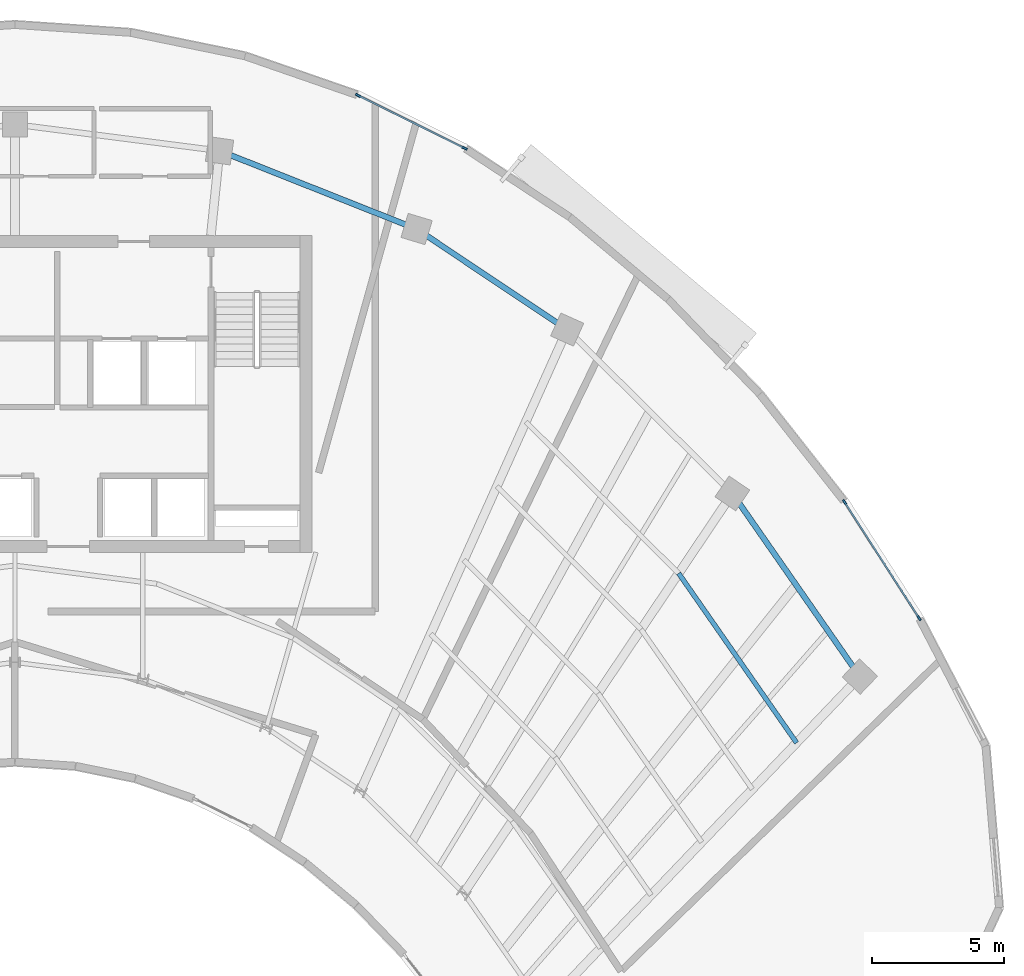
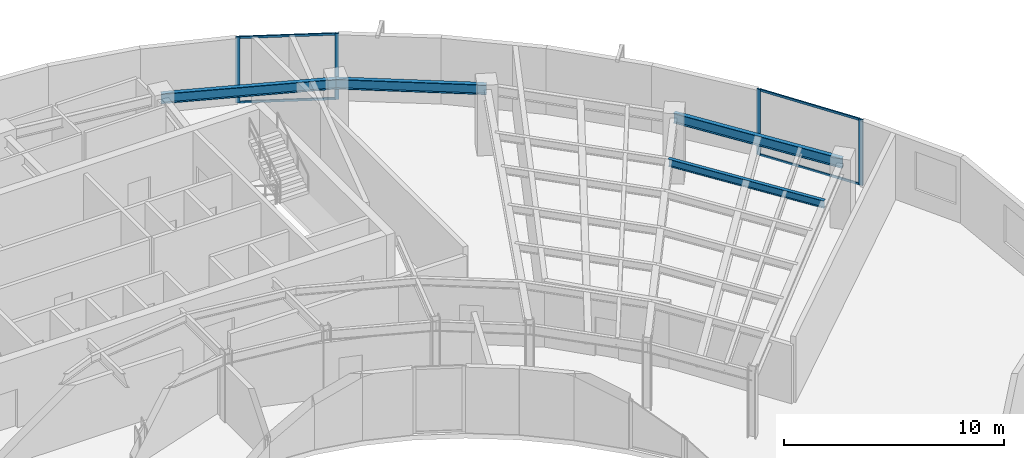
# One storey, part 6 of 13: 8 members, 4 beams, 2 elements without a shape of their own.
"""IFC4 building model written with IfcOpenShell, lengths in metres."""

from ifc_helpers import new_model, si_unit, direction, frame, origin, origin_2d, place, context, subcontext, project, spatial, rectangle, i_section, extrude, source, transform, mapped, material, layer, layer_set, material_profile, profile_set, type_object, element, aggregate, save


model = new_model("IFC4")

# Units and contexts
model_context = context("Model", 3, precision=1e-05, world=origin(), true_north=direction((0.0, 1.0)))
body_context = subcontext(model_context, "Body", "Model", "MODEL_VIEW")
ifc_project = project(units=[si_unit("LENGTHUNIT", "METRE"), si_unit("AREAUNIT", "SQUARE_METRE"), si_unit("VOLUMEUNIT", "CUBIC_METRE"), si_unit("PLANEANGLEUNIT", "RADIAN"), si_unit("MASSUNIT", "GRAM", prefix="KILO")], contexts=[model_context])

# Site, building, storey
site_placement = place(None, origin())
site = spatial("IfcSite", under=ifc_project, at=site_placement, CompositionType="ELEMENT")
building_placement = place(site_placement, origin())
building = spatial("IfcBuilding", under=site, at=building_placement, Name="Breltana Convention Tower", CompositionType="ELEMENT")
storey_placement = place(building_placement, frame((0.0, 0.0, 227.39990234375)))
storey = spatial("IfcBuildingStorey", under=building, at=storey_placement, Name="L55", CompositionType="ELEMENT", Elevation=227.39990234375)

# Beams
ifc_material_1 = material(Name="Steel ASTM A992 Grade 50", Category="steel")
ifc_material_profile_1 = material_profile(ifc_material_1, i_section(OverallWidth=0.214111328125, OverallDepth=0.549072265625, WebThickness=0.0146484375, FlangeThickness=0.023681640625, at=origin_2d()), Name="W21X93")
ifc_profile_set_1 = profile_set([ifc_material_profile_1], Name="Steel ASTM A992 Grade 50")
beam_type_1 = type_object("IfcBeamType", Name="BM-SP-W21X93", PredefinedType="SPANDREL", material=ifc_profile_set_1)
shared_shape_1 = source(origin(), body_context, "Body", "SweptSolid", [
    extrude(i_section(OverallWidth=0.214111328125, OverallDepth=0.549072265625, WebThickness=0.0146484375, FlangeThickness=0.023681640625, at=origin_2d()), origin(), (0.0, 0.0, 1.0), 8.028564453125),
])
beam_1_placement = place(storey_placement, frame((55.746826171875, 75.404296875, 3.37548828125), z_axis=(0.929459100394, -0.368925169507, 0.0), x_axis=(0.368925169507, 0.929459100394, 0.0)))
element("IfcBeam", 1, at=beam_1_placement, inside=storey, type_object=beam_type_1, Name="L55 Outer Spandrel Beam 07", PredefinedType="SPANDREL", context=body_context, shape_type="MappedRepresentation", body=[
    mapped(shared_shape_1, transform((0.0, 0.0, 0.0), scale=1.0)),
])
shared_shape_2 = source(origin(), body_context, "Body", "SweptSolid", [
    extrude(i_section(OverallWidth=0.214111328125, OverallDepth=0.549072265625, WebThickness=0.0146484375, FlangeThickness=0.023681640625, at=origin_2d()), origin(), (0.0, 0.0, 1.0), 6.856689453125),
])
beam_2_placement = place(storey_placement, frame((63.208984375, 72.4423828125, 3.37548828125), z_axis=(0.83150210718, -0.55552159792, 0.0), x_axis=(0.55552159792, 0.83150210718, 0.0)))
element("IfcBeam", 2, at=beam_2_placement, inside=storey, type_object=beam_type_1, Name="L55 Outer Spandrel Beam 08", PredefinedType="SPANDREL", context=body_context, shape_type="MappedRepresentation", body=[
    mapped(shared_shape_2, transform((0.0, 0.0, 0.0), scale=1.0)),
])
shared_shape_3 = source(origin(), body_context, "Body", "SweptSolid", [
    extrude(i_section(OverallWidth=0.214111328125, OverallDepth=0.549072265625, WebThickness=0.0146484375, FlangeThickness=0.023681640625, at=origin_2d()), origin(), (0.0, 0.0, 1.0), 8.44970703125),
])
beam_3_placement = place(storey_placement, frame((75.166748046875, 62.43017578125, 3.37548828125), z_axis=(0.5711855381, -0.820820979913, 0.0), x_axis=(0.820820979913, 0.5711855381, 0.0)))
element("IfcBeam", 3, at=beam_3_placement, inside=storey, type_object=beam_type_1, Name="L55 Outer Spandrel Beam 10", PredefinedType="SPANDREL", context=body_context, shape_type="MappedRepresentation", body=[
    mapped(shared_shape_3, transform((0.0, 0.0, 0.0), scale=1.0)),
])
ifc_material_profile_2 = material_profile(ifc_material_1, i_section(OverallWidth=0.179931640625, OverallDepth=0.4130859375, WebThickness=0.009765625, FlangeThickness=0.01611328125, at=origin_2d()), Name="W16X50")
ifc_profile_set_2 = profile_set([ifc_material_profile_2], Name="Steel ASTM A992 Grade 50")
beam_type_2 = type_object("IfcBeamType", Name="BM-JSG-08", PredefinedType="JOIST", material=ifc_profile_set_2)
shared_shape_4 = source(origin(), body_context, "Body", "SweptSolid", [
    extrude(i_section(OverallWidth=0.179931640625, OverallDepth=0.4130859375, WebThickness=0.009765625, FlangeThickness=0.01611328125, at=origin_2d()), origin(), (0.0, 0.0, 1.0), 7.81689453125),
])
beam_4_placement = place(storey_placement, frame((73.132568359375, 59.40283203125, 3.443603515625), z_axis=(0.57120265699, -0.820809067109, 0.0), x_axis=(0.820809067109, 0.57120265699, 0.0)))
element("IfcBeam", 4, at=beam_4_placement, inside=storey, type_object=beam_type_2, Name="L55 Composite Floor Joist 10.5", PredefinedType="JOIST", context=body_context, shape_type="MappedRepresentation", body=[
    mapped(shared_shape_4, transform((0.0, 0.0, 0.0), scale=1.0)),
])

# Curtain wall, members
ifc_material_2 = material(Name="Aluminium Anodised Bronze Frame", Category="aluminium")
ifc_layer = layer(ifc_material_2, 0.219970703125, Name="Aluminium Anodised Bronze Frame")
ifc_layer_set = layer_set([ifc_layer], Name="Aluminium Anodised Bronze Frame")
curtain_wall_type = type_object("IfcCurtainWallType", Name="CW-SYS-4", PredefinedType="NOTDEFINED", material=ifc_layer_set)
curtain_wall_1_placement = place(storey_placement, origin())
curtain_wall_1 = element("IfcCurtainWall", 5, at=curtain_wall_1_placement, inside=storey, type_object=curtain_wall_type, Name="L55 outer double-skin inner glazing 4", PredefinedType="NOTDEFINED")
ifc_material_3 = material(Name="Aluminium Anodised Bronze", Category="aluminium")
ifc_material_profile_3 = material_profile(ifc_material_3, rectangle(XDim=0.080078125, YDim=0.199951171875, at=origin_2d()), Name="CWM-80X200")
ifc_profile_set_3 = profile_set([ifc_material_profile_3], Name="Aluminium Anodised Bronze")
member_type_1 = type_object("IfcMemberType", Name="CWM-200", PredefinedType="MULLION", material=ifc_profile_set_3)
shared_shape_5 = source(origin(), body_context, "Body", "SweptSolid", [
    extrude(rectangle(XDim=0.080078125, YDim=0.199951171875, at=origin_2d()), origin(), (0.0, 0.0, 1.0), 3.650146484375),
])
member_1_placement = place(storey_placement, frame((60.9892578125, 77.50244140625, 0.0), z_axis=(0.0, 0.0, 1.0), x_axis=(0.444108875003, 0.895972827235, 0.0)))
member_1 = element("IfcMember", 6, at=member_1_placement, type_object=member_type_1, Name="CW-04 mullion 1", PredefinedType="MULLION", context=body_context, shape_type="MappedRepresentation", body=[
    mapped(shared_shape_5, transform((0.0, 0.0, 0.0), scale=1.0)),
])
member_2_placement = place(storey_placement, frame((65.03076171875, 75.499267578125, 0.0), z_axis=(0.0, 0.0, 1.0), x_axis=(0.444108875003, 0.895972827235, 0.0)))
member_2 = element("IfcMember", 7, at=member_2_placement, type_object=member_type_1, Name="CW-04 mullion 2", PredefinedType="MULLION", context=body_context, shape_type="MappedRepresentation", body=[
    mapped(shared_shape_5, transform((0.0, 0.0, 0.0), scale=1.0)),
])

curtain_wall_2_placement = place(storey_placement, origin())
curtain_wall_2 = element("IfcCurtainWall", 8, at=curtain_wall_2_placement, inside=storey, type_object=curtain_wall_type, Name="L55 outer double-skin inner glazing 5", PredefinedType="NOTDEFINED")
member_3_placement = place(storey_placement, frame((79.41259765625, 62.10595703125, 0.0), z_axis=(0.0, 0.0, 1.0), x_axis=(0.84154835428, 0.540181791075, 0.0)))
member_3 = element("IfcMember", 9, at=member_3_placement, type_object=member_type_1, Name="CW-04 mullion 1", PredefinedType="MULLION", context=body_context, shape_type="MappedRepresentation", body=[
    mapped(shared_shape_5, transform((0.0, 0.0, 0.0), scale=1.0)),
])
member_4_placement = place(storey_placement, frame((82.23388671875, 57.710693359375, 0.0), z_axis=(0.0, 0.0, 1.0), x_axis=(0.84154835428, 0.540181791075, 0.0)))
member_4 = element("IfcMember", 10, at=member_4_placement, type_object=member_type_1, Name="CW-04 mullion 2", PredefinedType="MULLION", context=body_context, shape_type="MappedRepresentation", body=[
    mapped(shared_shape_5, transform((0.0, 0.0, 0.0), scale=1.0)),
])

# Member
ifc_material_profile_4 = material_profile(ifc_material_3, rectangle(XDim=0.070068359375, YDim=0.1201171875, at=origin_2d()), Name="CWT-70X120")
ifc_profile_set_4 = profile_set([ifc_material_profile_4], Name="Aluminium Anodised Bronze")
member_type_2 = type_object("IfcMemberType", Name="CWT-120", PredefinedType="USERDEFINED", material=ifc_profile_set_4)
shared_shape_6 = source(origin(), body_context, "Body", "SweptSolid", [
    extrude(rectangle(XDim=0.070068359375, YDim=0.1201171875, at=origin_2d()), origin(), (0.0, 0.0, 1.0), 4.4306640625),
])
member_5_placement = place(storey_placement, frame((61.025146484375, 77.48486328125, 0.03515625), z_axis=(0.895964734866, -0.444125200678, 0.0), x_axis=(0.444125200678, 0.895964734866, 0.0)))
member_5 = element("IfcMember", 11, at=member_5_placement, type_object=member_type_2, Name="CW-04 transom 1.1", ObjectType="TRANSOM", PredefinedType="USERDEFINED", context=body_context, shape_type="MappedRepresentation", body=[
    mapped(shared_shape_6, transform((0.0, 0.0, 0.0), scale=1.0)),
])

member_6_placement = place(storey_placement, frame((61.025146484375, 77.48486328125, 3.614990234375), z_axis=(0.895964734866, -0.444125200678, 0.0), x_axis=(0.444125200678, 0.895964734866, 0.0)))
member_6 = element("IfcMember", 12, at=member_6_placement, type_object=member_type_2, Name="CW-04 transom 1.2", ObjectType="TRANSOM", PredefinedType="USERDEFINED", context=body_context, shape_type="MappedRepresentation", body=[
    mapped(shared_shape_6, transform((0.0, 0.0, 0.0), scale=1.0)),
])

aggregate(curtain_wall_1, [member_1, member_2, member_5, member_6])

shared_shape_7 = source(origin(), body_context, "Body", "SweptSolid", [
    extrude(rectangle(XDim=0.070068359375, YDim=0.1201171875, at=origin_2d()), origin(), (0.0, 0.0, 1.0), 5.142822265625),
])
member_7_placement = place(storey_placement, frame((79.43408203125, 62.072265625, 0.03515625), z_axis=(0.54018882683, -0.841543838055, 0.0), x_axis=(0.841543838055, 0.54018882683, 0.0)))
member_7 = element("IfcMember", 13, at=member_7_placement, type_object=member_type_2, Name="CW-04 transom 1.1", ObjectType="TRANSOM", PredefinedType="USERDEFINED", context=body_context, shape_type="MappedRepresentation", body=[
    mapped(shared_shape_7, transform((0.0, 0.0, 0.0), scale=1.0)),
])

member_8_placement = place(storey_placement, frame((79.43408203125, 62.072265625, 3.614990234375), z_axis=(0.54018882683, -0.841543838055, 0.0), x_axis=(0.841543838055, 0.54018882683, 0.0)))
member_8 = element("IfcMember", 14, at=member_8_placement, type_object=member_type_2, Name="CW-04 transom 1.2", ObjectType="TRANSOM", PredefinedType="USERDEFINED", context=body_context, shape_type="MappedRepresentation", body=[
    mapped(shared_shape_7, transform((0.0, 0.0, 0.0), scale=1.0)),
])

aggregate(curtain_wall_2, [member_3, member_4, member_7, member_8])

save(model, "model.ifc")
